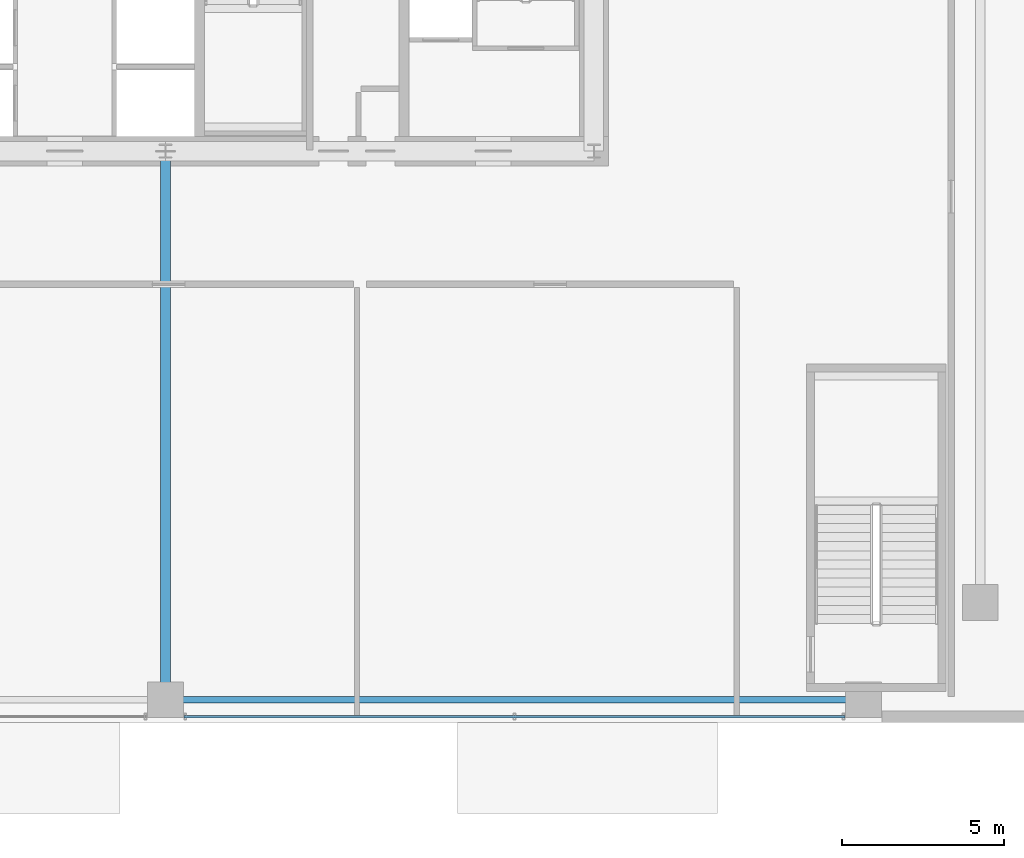
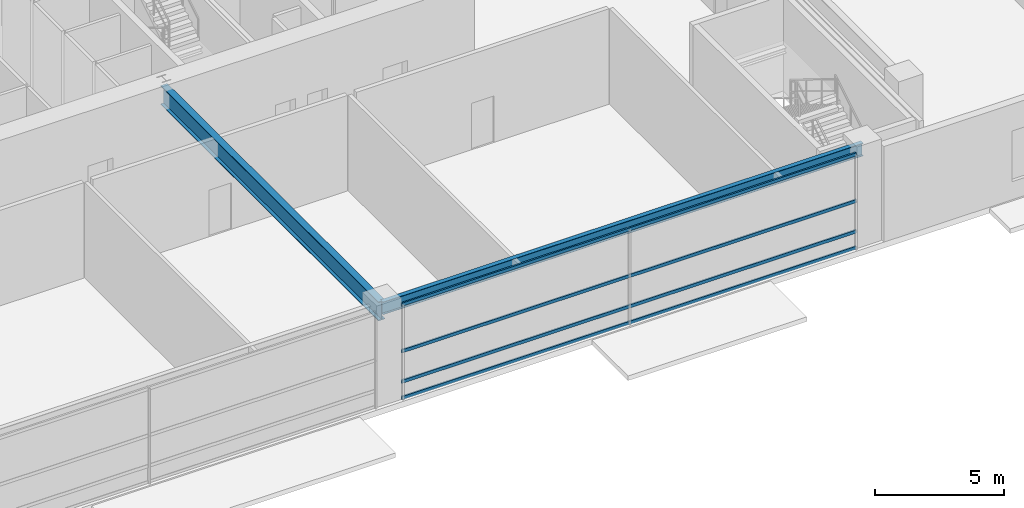
# One storey, part 12 of 37: 4 members, 2 beams, 1 element without a shape of its own.
"""IFC4 building model written with IfcOpenShell, lengths in metres."""

from ifc_helpers import new_model, si_unit, direction, frame, origin, origin_2d, place, context, subcontext, project, spatial, hollow_rectangle, i_section, extrude, source, transform, mapped, material, layer, layer_set, material_profile, profile_set, type_object, element, aggregate, save


model = new_model("IFC4")

# Units and contexts
model_context = context("Model", 3, precision=1e-05, world=origin(), true_north=direction((0.0, 1.0)))
body_context = subcontext(model_context, "Body", "Model", "MODEL_VIEW")
ifc_project = project(units=[si_unit("LENGTHUNIT", "METRE"), si_unit("AREAUNIT", "SQUARE_METRE"), si_unit("VOLUMEUNIT", "CUBIC_METRE"), si_unit("PLANEANGLEUNIT", "RADIAN"), si_unit("MASSUNIT", "GRAM", prefix="KILO"), si_unit("THERMODYNAMICTEMPERATUREUNIT", "KELVIN"), si_unit("POWERUNIT", "WATT")], contexts=[model_context])

# Site, building, storey
site_placement = place(None, origin())
site = spatial("IfcSite", under=ifc_project, at=site_placement, CompositionType="ELEMENT")
building_placement = place(site_placement, origin())
building = spatial("IfcBuilding", under=site, at=building_placement, Name="Yuzanri Waterfront Tower", CompositionType="ELEMENT")
storey_placement = place(building_placement, frame((0.0, 0.0, 5.39990234375)))
storey = spatial("IfcBuildingStorey", under=building, at=storey_placement, Name="L02", CompositionType="ELEMENT", Elevation=5.39990234375)

# Beams
ifc_material_1 = material(Name="Steel Q355B", Category="steel")
ifc_material_profile_1 = material_profile(ifc_material_1, i_section(OverallWidth=0.300048828125, OverallDepth=0.89990234375, WebThickness=0.01611328125, FlangeThickness=0.028076171875, at=origin_2d()), Name="HN 900x300x16x28")
ifc_profile_set_1 = profile_set([ifc_material_profile_1], Name="Steel Q355B")
beam_type_1 = type_object("IfcBeamType", Name="Primary Podium Girder Q355B HN 900x300", PredefinedType="BEAM", material=ifc_profile_set_1)
shared_shape_1 = source(origin(), body_context, "Body", "SweptSolid", [
    extrude(i_section(OverallWidth=0.300048828125, OverallDepth=0.89990234375, WebThickness=0.01611328125, FlangeThickness=0.028076171875, at=origin_2d()), origin(), (0.0, 0.0, 1.0), 16.89990234375),
])
beam_1_placement = place(storey_placement, frame((37.0, 2.5, 4.070068359375), z_axis=(0.0, 1.0, 0.0), x_axis=(-1.0, 0.0, 0.0)))
element("IfcBeam", 1, at=beam_1_placement, inside=storey, type_object=beam_type_1, Name="L02 South Core Link Girder", PredefinedType="BEAM", context=body_context, shape_type="MappedRepresentation", body=[
    mapped(shared_shape_1, transform((0.0, 0.0, 0.0), scale=1.0)),
])
ifc_material_2 = material(Name="Steel Q355B", Category="steel")
ifc_material_profile_2 = material_profile(ifc_material_2, i_section(OverallWidth=0.199951171875, OverallDepth=0.60009765625, WebThickness=0.010986328125, FlangeThickness=0.01708984375, at=origin_2d()), Name="HN 600x200x11x17")
ifc_profile_set_2 = profile_set([ifc_material_profile_2], Name="Steel Q355B")
beam_type_2 = type_object("IfcBeamType", Name="Perimeter Spandrel Q355B HN 600x200", PredefinedType="SPANDREL", material=ifc_profile_set_2)
shared_shape_2 = source(origin(), body_context, "Body", "SweptSolid", [
    extrude(i_section(OverallWidth=0.199951171875, OverallDepth=0.60009765625, WebThickness=0.010986328125, FlangeThickness=0.01708984375, at=origin_2d()), origin(), (0.0, 0.0, 1.0), 21.5),
])
beam_2_placement = place(storey_placement, frame((37.0, 2.5, 4.22021484375), z_axis=(1.0, 0.0, 0.0), x_axis=(0.0, 1.0, 0.0)))
element("IfcBeam", 2, at=beam_2_placement, inside=storey, type_object=beam_type_2, Name="L02 South Spandrel 2", PredefinedType="SPANDREL", context=body_context, shape_type="MappedRepresentation", body=[
    mapped(shared_shape_2, transform((0.0, 0.0, 0.0), scale=1.0)),
])

# Curtain wall, members
ifc_material_3 = material(Name="Anodized Architectural Bronze", Category="metal")
ifc_layer = layer(ifc_material_3, 0.159912109375)
ifc_layer_set = layer_set([ifc_layer], Name="Anodized Architectural Bronze")
curtain_wall_type = type_object("IfcCurtainWallType", Name="Anodized Bronze Podium Waterfront Double-Height Unitized Curtain Wall 8400", PredefinedType="NOTDEFINED", material=ifc_layer_set)
curtain_wall_placement = place(storey_placement, origin())
curtain_wall = element("IfcCurtainWall", 3, at=curtain_wall_placement, inside=storey, type_object=curtain_wall_type, Name="L02 Curtain Wall CW-L02-S2", PredefinedType="NOTDEFINED")
ifc_material_4 = material(Name="Anodized Architectural Bronze", Category="metal")
ifc_material_profile_3 = material_profile(ifc_material_4, hollow_rectangle(XDim=0.074951171875, YDim=0.14990234375, WallThickness=0.00390625, at=origin_2d()), Name="CWT 75x150")
ifc_profile_set_3 = profile_set([ifc_material_profile_3], Name="Anodized Architectural Bronze")
member_type = type_object("IfcMemberType", Name="Anodized Bronze Primary Curtain-Wall Transom 75x150", PredefinedType="USERDEFINED", material=ifc_profile_set_3)
shared_shape_3 = source(origin(), body_context, "Body", "SweptSolid", [
    extrude(hollow_rectangle(XDim=0.074951171875, YDim=0.14990234375, WallThickness=0.00390625, at=origin_2d()), origin(), (0.0, 0.0, 1.0), 20.35986328125),
])
member_1_placement = place(storey_placement, frame((37.570068359375, 1.97998046875, 0.050048828125), z_axis=(1.0, 0.0, 0.0), x_axis=(0.0, 1.0, 0.0)))
member_1 = element("IfcMember", 4, at=member_1_placement, type_object=member_type, Name="CW-L02-S2 Transom 1", ObjectType="TRANSOM", PredefinedType="USERDEFINED", context=body_context, shape_type="MappedRepresentation", body=[
    mapped(shared_shape_3, transform((0.0, 0.0, 0.0), scale=1.0)),
])
member_2_placement = place(storey_placement, frame((37.570068359375, 1.97998046875, 0.820068359375), z_axis=(1.0, 0.0, 0.0), x_axis=(0.0, 1.0, 0.0)))
member_2 = element("IfcMember", 5, at=member_2_placement, type_object=member_type, Name="CW-L02-S2 Transom 2", ObjectType="TRANSOM", PredefinedType="USERDEFINED", context=body_context, shape_type="MappedRepresentation", body=[
    mapped(shared_shape_3, transform((0.0, 0.0, 0.0), scale=1.0)),
])
member_3_placement = place(storey_placement, frame((37.570068359375, 1.97998046875, 2.260009765625), z_axis=(1.0, 0.0, 0.0), x_axis=(0.0, 1.0, 0.0)))
member_3 = element("IfcMember", 6, at=member_3_placement, type_object=member_type, Name="CW-L02-S2 Transom 3", ObjectType="TRANSOM", PredefinedType="USERDEFINED", context=body_context, shape_type="MappedRepresentation", body=[
    mapped(shared_shape_3, transform((0.0, 0.0, 0.0), scale=1.0)),
])
member_4_placement = place(storey_placement, frame((37.570068359375, 1.97998046875, 4.47021484375), z_axis=(1.0, 0.0, 0.0), x_axis=(0.0, 1.0, 0.0)))
member_4 = element("IfcMember", 7, at=member_4_placement, type_object=member_type, Name="CW-L02-S2 Transom 4", ObjectType="TRANSOM", PredefinedType="USERDEFINED", context=body_context, shape_type="MappedRepresentation", body=[
    mapped(shared_shape_3, transform((0.0, 0.0, 0.0), scale=1.0)),
])
aggregate(curtain_wall, [member_1, member_2, member_3, member_4])

save(model, "model.ifc")
